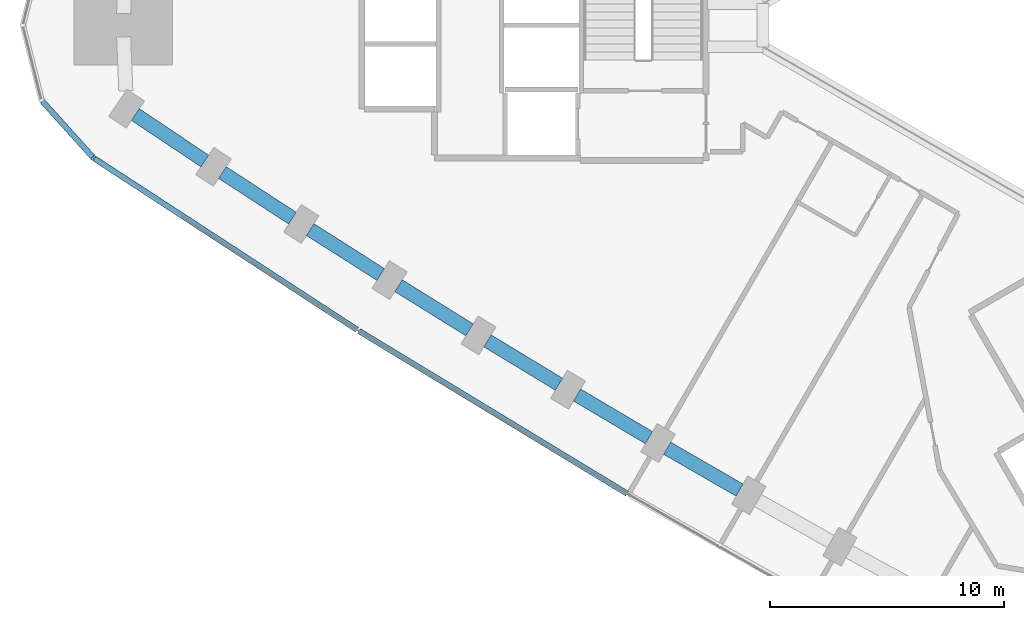
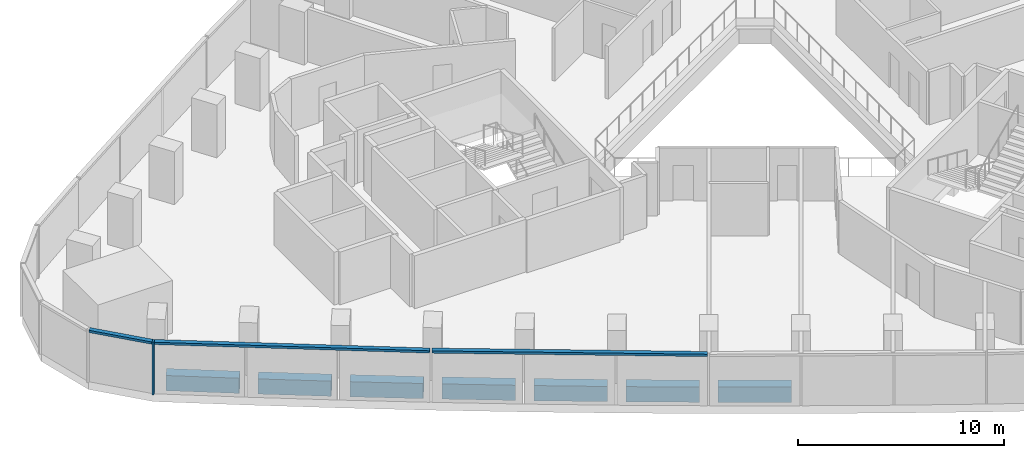
# One storey, part 2 of 13: 7 beams, 4 members, 2 elements without a shape of their own.
"""IFC4 building model written with IfcOpenShell, lengths in metres."""

from ifc_helpers import new_model, si_unit, direction, frame, origin, origin_2d, place, context, subcontext, project, spatial, rectangle, extrude, material, material_profile, profile_set, type_object, element, aggregate, save


model = new_model("IFC4")

# Units and contexts
model_context = context("Model", 3, precision=1e-05, world=origin(), true_north=direction((0.0, 1.0)))
body_context = subcontext(model_context, "Body", "Model", "MODEL_VIEW")
ifc_project = project(units=[si_unit("LENGTHUNIT", "METRE"), si_unit("AREAUNIT", "SQUARE_METRE"), si_unit("VOLUMEUNIT", "CUBIC_METRE"), si_unit("PLANEANGLEUNIT", "RADIAN"), si_unit("MASSUNIT", "GRAM", prefix="KILO")], contexts=[model_context])

# Site, building, storey
site_placement = place(None, origin())
site = spatial("IfcSite", under=ifc_project, at=site_placement, CompositionType="ELEMENT")
building_placement = place(site_placement, origin())
building = spatial("IfcBuilding", under=site, at=building_placement, Name="Tamra Quay Hotel Tower", CompositionType="ELEMENT")
storey_placement = place(building_placement, frame((0.0, 0.0, 60.199951171875)))
storey = spatial("IfcBuildingStorey", under=building, at=storey_placement, Name="L13", CompositionType="ELEMENT", Elevation=60.199951171875)

# Curtain wall, member
ifc_material_1 = material(Name="Aluminium 6063 anodised dark grey", Category="aluminium")
curtain_wall_type_1 = type_object("IfcCurtainWallType", Name="CW3 CURTAIN WALL", PredefinedType="NOTDEFINED", material=ifc_material_1)
curtain_wall_1_placement = place(storey_placement, origin())
curtain_wall_1 = element("IfcCurtainWall", 1, at=curtain_wall_1_placement, inside=storey, type_object=curtain_wall_type_1, Name="CW3 south-west face L13", PredefinedType="NOTDEFINED")
ifc_material_profile_1 = material_profile(ifc_material_1, rectangle(XDim=0.239990234375, YDim=0.10009765625, at=origin_2d()), Name="MULLION 100X240")
ifc_profile_set_1 = profile_set([ifc_material_profile_1], Name="Aluminium 6063 anodised dark grey")
member_type_1 = type_object("IfcMemberType", Name="MULLION CW3 Z1", PredefinedType="MULLION", material=ifc_profile_set_1)
member_1_placement = place(storey_placement, frame((-37.001708984375, -5.6669921875, 0.0), z_axis=(0.0, 0.0, 1.0), x_axis=(-0.654196739281, -0.756324418695, 0.0)))
member_1 = element("IfcMember", 2, at=member_1_placement, type_object=member_type_1, Name="CW3 mullion L13.SW.1", PredefinedType="MULLION", context=body_context, shape_type="SweptSolid", body=[
    extrude(rectangle(XDim=0.239990234375, YDim=0.10009765625, at=origin_2d()), origin(), (0.0, 0.0, 1.0), 3.125),
])

# Beams
ifc_material_2 = material(Name="Concrete M60", Category="concrete")
ifc_material_profile_2 = material_profile(ifc_material_2, rectangle(XDim=0.60009765625, YDim=0.89990234375, at=origin_2d()), Name="SPANDREL BEAM RC 600x900")
ifc_profile_set_2 = profile_set([ifc_material_profile_2], Name="Concrete M60")
beam_type = type_object("IfcBeamType", Name="SPANDREL BEAM RC 600x900", PredefinedType="SPANDREL", material=ifc_profile_set_2)
beam_1_placement = place(storey_placement, frame((-35.209228515625, -3.814697265625, -0.925048828125), z_axis=(0.831818807601, -0.555047269448, 0.0), x_axis=(0.555047269448, 0.831818807601, 0.0)))
element("IfcBeam", 3, at=beam_1_placement, inside=storey, type_object=beam_type, Name="BM-SP1-030-L13", PredefinedType="SPANDREL", context=body_context, shape_type="SweptSolid", body=[
    extrude(rectangle(XDim=0.60009765625, YDim=0.89990234375, at=origin_2d()), origin(), (0.0, 0.0, 1.0), 3.57080078125),
])
beam_2_placement = place(storey_placement, frame((-31.48779296875, -6.292236328125, -0.925048828125), z_axis=(0.837739819239, -0.546069588296, 0.0), x_axis=(0.546069588296, 0.837739819239, 0.0)))
element("IfcBeam", 4, at=beam_2_placement, inside=storey, type_object=beam_type, Name="BM-SP1-031-L13", PredefinedType="SPANDREL", context=body_context, shape_type="SweptSolid", body=[
    extrude(rectangle(XDim=0.60009765625, YDim=0.89990234375, at=origin_2d()), origin(), (0.0, 0.0, 1.0), 3.570068359375),
])
beam_3_placement = place(storey_placement, frame((-27.740478515625, -8.729248046875, -0.925048828125), z_axis=(0.843593906333, -0.53698167678, 0.0), x_axis=(0.53698167678, 0.843593906333, 0.0)))
element("IfcBeam", 5, at=beam_3_placement, inside=storey, type_object=beam_type, Name="BM-SP1-032-L13", PredefinedType="SPANDREL", context=body_context, shape_type="SweptSolid", body=[
    extrude(rectangle(XDim=0.60009765625, YDim=0.89990234375, at=origin_2d()), origin(), (0.0, 0.0, 1.0), 3.5703125),
])
beam_4_placement = place(storey_placement, frame((-23.966552734375, -11.125732421875, -0.925048828125), z_axis=(0.849320953317, -0.527876802158, 0.0), x_axis=(0.527876802158, 0.849320953317, 0.0)))
element("IfcBeam", 6, at=beam_4_placement, inside=storey, type_object=beam_type, Name="BM-SP1-033-L13", PredefinedType="SPANDREL", context=body_context, shape_type="SweptSolid", body=[
    extrude(rectangle(XDim=0.60009765625, YDim=0.89990234375, at=origin_2d()), origin(), (0.0, 0.0, 1.0), 3.570556640625),
])
beam_5_placement = place(storey_placement, frame((-20.1669921875, -13.4814453125, -0.925048828125), z_axis=(0.854966252085, -0.518683629775, 0.0), x_axis=(0.518683629775, 0.854966252085, 0.0)))
element("IfcBeam", 7, at=beam_5_placement, inside=storey, type_object=beam_type, Name="BM-SP1-034-L13", PredefinedType="SPANDREL", context=body_context, shape_type="SweptSolid", body=[
    extrude(rectangle(XDim=0.60009765625, YDim=0.89990234375, at=origin_2d()), origin(), (0.0, 0.0, 1.0), 3.56982421875),
])
beam_6_placement = place(storey_placement, frame((-16.3427734375, -15.79541015625, -0.925048828125), z_axis=(0.860524689034, -0.509408735264, 0.0), x_axis=(0.509408735264, 0.860524689034, 0.0)))
element("IfcBeam", 8, at=beam_6_placement, inside=storey, type_object=beam_type, Name="BM-SP1-035-L13", PredefinedType="SPANDREL", context=body_context, shape_type="SweptSolid", body=[
    extrude(rectangle(XDim=0.60009765625, YDim=0.89990234375, at=origin_2d()), origin(), (0.0, 0.0, 1.0), 3.570556640625),
])
beam_7_placement = place(storey_placement, frame((-12.493408203125, -18.068359375, -0.925048828125), z_axis=(0.866017069707, -0.500014434768, 0.0), x_axis=(0.500014434768, 0.866017069707, 0.0)))
element("IfcBeam", 9, at=beam_7_placement, inside=storey, type_object=beam_type, Name="BM-SP1-036-L13", PredefinedType="SPANDREL", context=body_context, shape_type="SweptSolid", body=[
    extrude(rectangle(XDim=0.60009765625, YDim=0.89990234375, at=origin_2d()), origin(), (0.0, 0.0, 1.0), 3.57080078125),
])

# Curtain wall, member
curtain_wall_type_2 = type_object("IfcCurtainWallType", Name="CW2 CURTAIN WALL", PredefinedType="NOTDEFINED", material=ifc_material_1)
curtain_wall_2_placement = place(storey_placement, origin())
curtain_wall_2 = element("IfcCurtainWall", 10, at=curtain_wall_2_placement, inside=storey, type_object=curtain_wall_type_2, Name="CW2 north-west face L13", PredefinedType="NOTDEFINED")
ifc_material_profile_3 = material_profile(ifc_material_1, rectangle(XDim=0.239990234375, YDim=0.139892578125, at=origin_2d()), Name="TRANSOM 240X140")
ifc_profile_set_3 = profile_set([ifc_material_profile_3], Name="Aluminium 6063 anodised dark grey")
member_type_2 = type_object("IfcMemberType", Name="TRANSOM CW2 Z1", PredefinedType="USERDEFINED", material=ifc_profile_set_3)
member_2_placement = place(storey_placement, frame((-39.18115234375, -3.246337890625, 3.054931640625), z_axis=(0.669103504087, -0.743169227577, 0.0), x_axis=(0.743169227577, 0.669103504087, 0.0)))
member_2 = element("IfcMember", 11, at=member_2_placement, type_object=member_type_2, Name="CW2 transom L13.NW.17", ObjectType="TRANSOM", PredefinedType="USERDEFINED", context=body_context, shape_type="SweptSolid", body=[
    extrude(rectangle(XDim=0.239990234375, YDim=0.139892578125, at=origin_2d()), origin(), (0.0, 0.0, 1.0), 3.207275390625),
])
aggregate(curtain_wall_2, [member_2])

# Member
ifc_material_profile_4 = material_profile(ifc_material_1, rectangle(XDim=0.239990234375, YDim=0.139892578125, at=origin_2d()), Name="TRANSOM 240X140")
ifc_profile_set_4 = profile_set([ifc_material_profile_4], Name="Aluminium 6063 anodised dark grey")
member_type_3 = type_object("IfcMemberType", Name="TRANSOM CW3 Z1", PredefinedType="USERDEFINED", material=ifc_profile_set_4)
member_3_placement = place(storey_placement, frame((-36.9599609375, -5.69482421875, 3.054931640625), z_axis=(0.837738597212, -0.546071463036, 0.0), x_axis=(0.546071463036, 0.837738597212, 0.0)))
member_3 = element("IfcMember", 12, at=member_3_placement, type_object=member_type_3, Name="CW3 transom L13.SW.1", ObjectType="TRANSOM", PredefinedType="USERDEFINED", context=body_context, shape_type="SweptSolid", body=[
    extrude(rectangle(XDim=0.239990234375, YDim=0.139892578125, at=origin_2d()), origin(), (0.0, 0.0, 1.0), 13.39208984375),
])

member_4_placement = place(storey_placement, frame((-25.656494140625, -13.061279296875, 3.054931640625), z_axis=(0.854996255935, -0.518634170044, 0.0), x_axis=(0.518634170044, 0.854996255935, 0.0)))
member_4 = element("IfcMember", 13, at=member_4_placement, type_object=member_type_3, Name="CW3 transom L13.SW.4", ObjectType="TRANSOM", PredefinedType="USERDEFINED", context=body_context, shape_type="SweptSolid", body=[
    extrude(rectangle(XDim=0.239990234375, YDim=0.139892578125, at=origin_2d()), origin(), (0.0, 0.0, 1.0), 13.39306640625),
])

aggregate(curtain_wall_1, [member_1, member_3, member_4])

save(model, "model.ifc")
